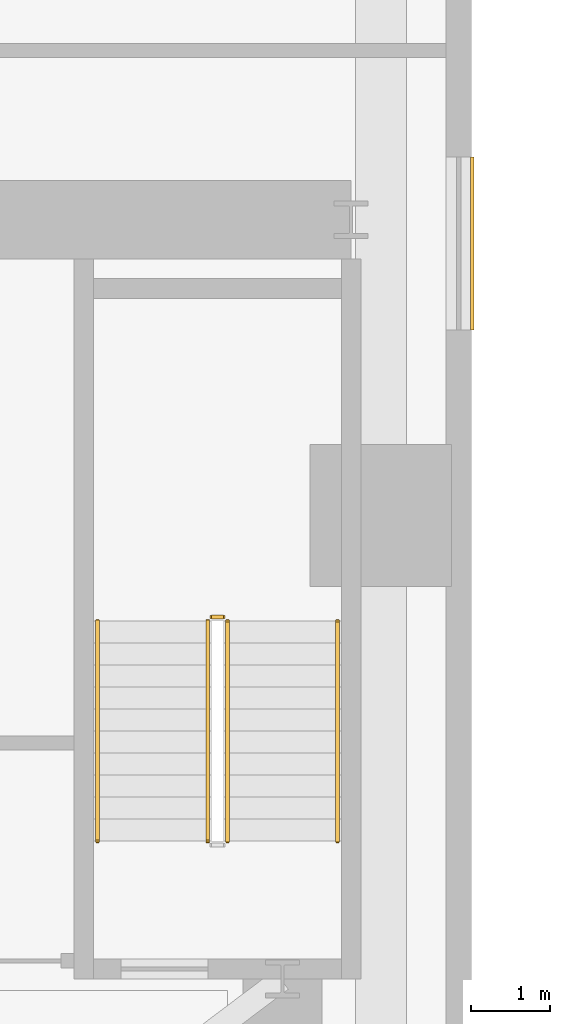
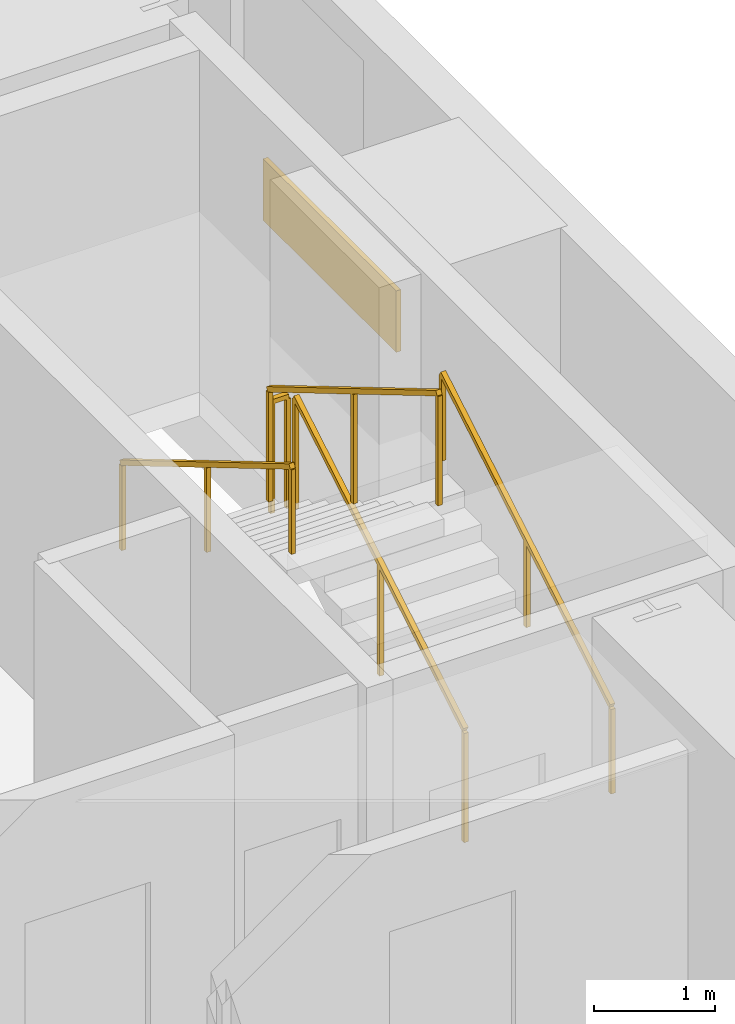
# One storey, part 13 of 13: 5 railings, 1 covering.
"""IFC4 building model written with IfcOpenShell, lengths in metres."""

import ifcopenshell
import ifcopenshell.guid

model = None  # the IFC model being written
_history = None  # IfcOwnerHistory: only IFC2X3 demands one
_inside = {}  # id of a spatial element -> (the spatial element, [elements in it])
_under = {}  # id of a project, library or spatial element -> (it, [spatial elements below it])
_declared = {}  # id of a project -> (the project, [libraries it declares])
_typed = {}  # id of a type object -> (the type object, [elements of that type])
_made_of = {}  # id of a material, layer set ... -> (it, [elements and type objects made of it])


def new_model(schema):
    """Start an empty IFC model of exactly this schema.

    Asked for "IFC4X3", IfcOpenShell would pick the latest addendum, in which some entities
    have other attributes; the version numbers below select the first issue.
    IFC2X3 requires an IfcOwnerHistory on every rooted entity: one is made here for all.
    """
    global model, _history
    if schema == "IFC4X3":
        model = ifcopenshell.file(schema_version=(4, 3, 0, 0))
    else:
        model = ifcopenshell.file(schema=schema)
    _inside.clear()
    _under.clear()
    _declared.clear()
    _typed.clear()
    _made_of.clear()
    _history = None
    if model.schema == "IFC2X3":
        org = make("IfcOrganization", Name="unknown")
        user = make(
            "IfcPersonAndOrganization",
            ThePerson=make("IfcPerson", FamilyName="unknown"),
            TheOrganization=org,
        )
        app = make(
            "IfcApplication",
            ApplicationDeveloper=org,
            Version="unknown",
            ApplicationFullName="unknown",
            ApplicationIdentifier="unknown",
        )
        _history = make(
            "IfcOwnerHistory",
            OwningUser=user,
            OwningApplication=app,
            ChangeAction="ADDED",
            CreationDate=0,
        )
    return model


def make(cls, **values):
    """One entity of the class cls with the attributes given. An attribute that is None is left unset."""
    return model.create_entity(
        cls, **{name: value for name, value in values.items() if value is not None}
    )


def rooted(cls, **values):
    """An entity with a GlobalId (a new one), such as an element, a storey or a relation."""
    return make(cls, GlobalId=ifcopenshell.guid.new(), OwnerHistory=_history, **values)


def si_unit(unit_type, name, prefix=None):
    """IfcSIUnit, for example si_unit("LENGTHUNIT", "METRE", prefix="MILLI")."""
    return make("IfcSIUnit", UnitType=unit_type, Prefix=prefix, Name=name)


def assignment(units):
    """IfcUnitAssignment: the units of a project."""
    return None if units is None else make("IfcUnitAssignment", Units=units)


def point(xyz):
    """IfcCartesianPoint."""
    return None if xyz is None else make("IfcCartesianPoint", Coordinates=xyz)


def direction(xyz):
    """IfcDirection."""
    return None if xyz is None else make("IfcDirection", DirectionRatios=xyz)


def frame(location, z_axis=None, x_axis=None):
    """IfcAxis2Placement3D, a coordinate frame: its origin and axes. An axis left out is left unset."""
    return make(
        "IfcAxis2Placement3D",
        Location=point(location),
        Axis=direction(z_axis),
        RefDirection=direction(x_axis),
    )


def frame_2d(location, x_axis=None):
    """IfcAxis2Placement2D, a coordinate frame in the plane: its origin and x axis."""
    return make(
        "IfcAxis2Placement2D", Location=point(location), RefDirection=direction(x_axis)
    )


def origin():
    """The frame at (0, 0, 0) with its axes left unset."""
    return frame((0.0, 0.0, 0.0))


def origin_2d():
    """The frame at (0, 0) in the plane with its x axis left unset."""
    return frame_2d((0.0, 0.0))


def place(relative_to, where):
    """IfcLocalPlacement: puts the frame where relative to a parent placement (None: the world)."""
    return make(
        "IfcLocalPlacement", PlacementRelTo=relative_to, RelativePlacement=where
    )


def context(
    kind, dimensions, precision=None, world=None, true_north=None, identifier=None
):
    """IfcGeometricRepresentationContext, for example the 3D "Model" context."""
    return make(
        "IfcGeometricRepresentationContext",
        ContextIdentifier=identifier,
        ContextType=kind,
        CoordinateSpaceDimension=dimensions,
        Precision=precision,
        WorldCoordinateSystem=world,
        TrueNorth=true_north,
    )


def subcontext(parent, identifier, kind, view, scale=None):
    """IfcGeometricRepresentationSubContext, for example "Body" below "Model"."""
    return make(
        "IfcGeometricRepresentationSubContext",
        ContextIdentifier=identifier,
        ContextType=kind,
        ParentContext=parent,
        TargetScale=scale,
        TargetView=view,
    )


def project(units=None, contexts=None):
    """IfcProject with its units and contexts."""
    return rooted(
        "IfcProject",
        Name="project",
        RepresentationContexts=contexts,
        UnitsInContext=assignment(units),
    )


def spatial(cls, under=None, at=None, **own):
    """A site, building, storey or space (cls), placed at a placement, below another one or the project."""
    s = rooted(cls, ObjectPlacement=at, **own)
    if under is not None:
        _under.setdefault(under.id(), (under, []))[1].append(s)
    return s


def profile(cls, at=None, kind="AREA", **sizes):
    """A parametric profile (cls). Its sizes go by their IFC names, for example OverallWidth=200.0."""
    return make(cls, ProfileType=kind, Position=at, **sizes)


def rectangle(**sizes):
    """IfcRectangleProfileDef."""
    return profile("IfcRectangleProfileDef", **sizes)


def extrude(swept, where, along, depth):
    """IfcExtrudedAreaSolid: the profile swept, set in the frame where, extruded along a direction by depth."""
    return make(
        "IfcExtrudedAreaSolid",
        SweptArea=swept,
        Position=where,
        ExtrudedDirection=direction(along),
        Depth=depth,
    )


def shape(context_of_items, identifier, shape_type, items):
    """IfcShapeRepresentation: the items that make up one representation, for example the "Body"."""
    return make(
        "IfcShapeRepresentation",
        ContextOfItems=context_of_items,
        RepresentationIdentifier=identifier,
        RepresentationType=shape_type,
        Items=items,
    )


def source(mapping_origin, context_of_items, identifier, shape_type, items):
    """IfcRepresentationMap: a shape defined once, which mapped items show again and again."""
    return make(
        "IfcRepresentationMap",
        MappingOrigin=mapping_origin,
        MappedRepresentation=shape(context_of_items, identifier, shape_type, items),
    )


def transform(
    local_origin,
    x_axis=None,
    y_axis=None,
    z_axis=None,
    scale=None,
    scale2=None,
    scale3=None,
    uniform=True,
):
    """IfcCartesianTransformationOperator3D, or its non-uniform kind. x_axis, y_axis, z_axis: its Axis1, 2, 3."""
    if uniform:
        return make(
            "IfcCartesianTransformationOperator3D",
            Axis1=direction(x_axis),
            Axis2=direction(y_axis),
            LocalOrigin=point(local_origin),
            Scale=scale,
            Axis3=direction(z_axis),
        )
    return make(
        "IfcCartesianTransformationOperator3DnonUniform",
        Axis1=direction(x_axis),
        Axis2=direction(y_axis),
        LocalOrigin=point(local_origin),
        Scale=scale,
        Axis3=direction(z_axis),
        Scale2=scale2,
        Scale3=scale3,
    )


def mapped(mapping_source, mapping_target):
    """IfcMappedItem: shows the shape of a source again, moved by a transform."""
    return make(
        "IfcMappedItem", MappingSource=mapping_source, MappingTarget=mapping_target
    )


def material(Name=None, Category=None):
    """IfcMaterial."""
    return make("IfcMaterial", Name=Name, Category=Category)


def layer(
    of_material, thickness, ventilated=None, Name=None, Category=None, Priority=None
):
    """IfcMaterialLayer: one layer of a wall or slab, of a material (None: an air gap)."""
    return make(
        "IfcMaterialLayer",
        Material=of_material,
        LayerThickness=thickness,
        IsVentilated=ventilated,
        Name=Name,
        Category=Category,
        Priority=Priority,
    )


def layer_set(layers, Name=None):
    """IfcMaterialLayerSet."""
    return make("IfcMaterialLayerSet", MaterialLayers=layers, LayerSetName=Name)


def made_of(thing, what):
    """Note that an element or type object is made of a material, layer set ...; save() writes the relation."""
    if what is not None:
        _made_of.setdefault(what.id(), (what, []))[1].append(thing)
    return thing


def type_object(cls, material=None, **own):
    """A type object (cls), such as IfcWallType, which elements share."""
    return made_of(rooted(cls, **own), material)


def element(
    cls,
    number,
    at=None,
    inside=None,
    cuts=None,
    type_object=None,
    material=None,
    context=None,
    identifier="Body",
    shape_type=None,
    held_by="IfcProductDefinitionShape",
    body=None,
    shapes=None,
    **own,
):
    """One element of the class cls, such as IfcWall. Its Tag is "e" and its number.

    at: its placement. inside: the storey or other place that contains it. cuts: it is an
    opening in that element (IfcRelVoidsElement). A single representation is given by context,
    identifier, shape_type and body (its items); several are given by shapes. held_by: the class
    of the entity that holds the representations. save() writes the other relations.
    """
    e = rooted(cls, Tag="e%d" % number, ObjectPlacement=at, **own)
    if body is not None:
        shapes = [shape(context, identifier, shape_type, body)]
    if shapes is not None:
        e.Representation = make(held_by, Representations=shapes)
    if inside is not None:
        _inside.setdefault(inside.id(), (inside, []))[1].append(e)
    if cuts is not None:
        rooted(
            "IfcRelVoidsElement", RelatingBuildingElement=cuts, RelatedOpeningElement=e
        )
    if type_object is not None:
        _typed.setdefault(type_object.id(), (type_object, []))[1].append(e)
    return made_of(e, material)


def aggregate(whole, parts):
    """IfcRelAggregates: a whole, such as a stair, and the parts it consists of."""
    return rooted("IfcRelAggregates", RelatingObject=whole, RelatedObjects=parts)


def save(model, path):
    """Write the relations noted so far, then the file.

    IfcRelAggregates (storeys below a building ...), IfcRelContainedInSpatialStructure (elements
    in a storey), IfcRelDefinesByType, IfcRelAssociatesMaterial and IfcRelDeclares: one each for
    every whole, place, type object, material and project.
    """
    for whole, parts in _under.values():
        aggregate(whole, parts)
    for where, things in _inside.values():
        rooted(
            "IfcRelContainedInSpatialStructure",
            RelatedElements=things,
            RelatingStructure=where,
        )
    for kind, things in _typed.values():
        rooted("IfcRelDefinesByType", RelatedObjects=things, RelatingType=kind)
    for what, things in _made_of.values():
        rooted("IfcRelAssociatesMaterial", RelatedObjects=things, RelatingMaterial=what)
    for by, libraries in _declared.values():
        rooted("IfcRelDeclares", RelatingContext=by, RelatedDefinitions=libraries)
    model.write(path)


model = new_model("IFC4")

# Units and contexts
model_context = context("Model", 3, precision=1e-05, world=origin(), true_north=direction((0.0, 1.0)))
body_context = subcontext(model_context, "Body", "Model", "MODEL_VIEW")
ifc_project = project(units=[si_unit("LENGTHUNIT", "METRE"), si_unit("AREAUNIT", "SQUARE_METRE"), si_unit("VOLUMEUNIT", "CUBIC_METRE"), si_unit("PLANEANGLEUNIT", "RADIAN"), si_unit("MASSUNIT", "GRAM", prefix="KILO")], contexts=[model_context])

# Site, building, storey
site_placement = place(None, origin())
site = spatial("IfcSite", under=ifc_project, at=site_placement, CompositionType="ELEMENT")
building_placement = place(site_placement, origin())
building = spatial("IfcBuilding", under=site, at=building_placement, Name="Vardaveli Station Tower", CompositionType="ELEMENT")
storey_placement = place(building_placement, frame((0.0, 0.0, 82.35009765625)))
storey = spatial("IfcBuildingStorey", under=building, at=storey_placement, Name="L21", CompositionType="ELEMENT", Elevation=82.35009765625)

# Covering
ifc_material_1 = material(Name="Ventilated honed travertine stone cladding", Category="masonry")
ifc_layer = layer(ifc_material_1, 0.044921875, Name="Ventilated honed travertine stone cladding")
ifc_layer_set = layer_set([ifc_layer], Name="Ventilated honed travertine stone cladding")
covering_type = type_object("IfcCoveringType", Name="COV-CLAD-TR45", PredefinedType="CLADDING", material=ifc_layer_set)
shared_shape_1 = source(origin(), body_context, "Body", "SweptSolid", [
    extrude(rectangle(XDim=2.199951171875, YDim=0.044921875, at=origin_2d()), origin(), (0.0, 0.0, 1.0), 0.6201171875),
])
covering_placement = place(storey_placement, frame((48.91455078125, 39.9951171875, 0.06982421875), z_axis=(0.0, 0.0, 1.0), x_axis=(0.0, 1.0, 0.0)))
element("IfcCovering", 1, at=covering_placement, inside=storey, type_object=covering_type, Name="CLD-TR-L21-E", PredefinedType="CLADDING", context=body_context, shape_type="MappedRepresentation", body=[
    mapped(shared_shape_1, transform((0.0, 0.0, 0.0), scale=1.0)),
])

# Railings
ifc_material_2 = material(Name="Brushed AISI 316 stainless steel", Category="steel")
railing_type_1 = type_object("IfcRailingType", Name="RL-GUARD-1150", PredefinedType="GUARDRAIL", material=ifc_material_2)
shared_shape_2 = source(origin(), body_context, "Body", "SweptSolid", [
    extrude(rectangle(XDim=0.048095703125, YDim=0.048095703125, at=origin_2d()), frame((0.0, 0.0, 1.1259765625), z_axis=(-1.0, 0.0, 0.0), x_axis=(0.0, -1.0, 0.0)), (0.0, 0.0, 1.0), 0.14990234375),
    extrude(rectangle(XDim=0.0419921875, YDim=0.0419921875, at=origin_2d()), origin(), (0.0, 0.0, 1.0), 1.101806640625),
    extrude(rectangle(XDim=0.0419921875, YDim=0.0419921875, at=origin_2d()), frame((-0.14990234375, 0.0, 0.0)), (0.0, 0.0, 1.0), 1.101806640625),
])
railing_1_placement = place(storey_placement, frame((45.75, 35.25, 1.824951171875)))
element("IfcRailing", 2, at=railing_1_placement, inside=storey, type_object=railing_type_1, Name="L21 ST-3 stair guard 2", PredefinedType="GUARDRAIL", context=body_context, shape_type="MappedRepresentation", body=[
    mapped(shared_shape_2, transform((0.0, 0.0, 0.0), scale=1.0)),
])
shared_shape_3 = source(origin(), body_context, "Body", "SweptSolid", [
    extrude(rectangle(XDim=0.048095703125, YDim=0.048095703125, at=origin_2d()), frame((0.0, 0.0, 1.1259765625), z_axis=(0.0, 0.860306154799, 0.50977771628), x_axis=(-1.0, 0.0, 0.0)), (0.0, 0.0, 1.0), 3.254638671875),
    extrude(rectangle(XDim=0.0419921875, YDim=0.0419921875, at=origin_2d()), origin(), (0.0, 0.0, 1.0), 1.101806640625),
    extrude(rectangle(XDim=0.0419921875, YDim=0.0419921875, at=origin_2d()), frame((0.0, 1.39990234375, 0.82958984375)), (0.0, 0.0, 1.0), 1.101806640625),
    extrude(rectangle(XDim=0.0419921875, YDim=0.0419921875, at=origin_2d()), frame((0.0, 2.800048828125, 1.6591796875)), (0.0, 0.0, 1.0), 1.101806640625),
])
railing_2_placement = place(storey_placement, frame((45.800048828125, 32.39990234375, 0.165771484375)))
element("IfcRailing", 3, at=railing_2_placement, inside=storey, type_object=railing_type_1, Name="L21 ST-3 stair guard 1", PredefinedType="GUARDRAIL", context=body_context, shape_type="MappedRepresentation", body=[
    mapped(shared_shape_3, transform((0.0, 0.0, 0.0), scale=1.0)),
])
shared_shape_4 = source(origin(), body_context, "Body", "SweptSolid", [
    extrude(rectangle(XDim=0.048095703125, YDim=0.048095703125, at=origin_2d()), frame((0.0, 0.0, 1.1259765625), z_axis=(0.0, -0.860306154799, 0.50977771628), x_axis=(1.0, 0.0, 0.0)), (0.0, 0.0, 1.0), 3.254638671875),
    extrude(rectangle(XDim=0.0419921875, YDim=0.0419921875, at=origin_2d()), origin(), (0.0, 0.0, 1.0), 1.101806640625),
    extrude(rectangle(XDim=0.0419921875, YDim=0.0419921875, at=origin_2d()), frame((0.0, -1.39990234375, 0.82958984375)), (0.0, 0.0, 1.0), 1.101806640625),
    extrude(rectangle(XDim=0.0419921875, YDim=0.0419921875, at=origin_2d()), frame((0.0, -2.800048828125, 1.6591796875)), (0.0, 0.0, 1.0), 1.101806640625),
])
railing_3_placement = place(storey_placement, frame((45.550048828125, 35.199951171875, 1.99072265625)))
element("IfcRailing", 4, at=railing_3_placement, inside=storey, type_object=railing_type_1, Name="L21 ST-3 stair guard 3", PredefinedType="GUARDRAIL", context=body_context, shape_type="MappedRepresentation", body=[
    mapped(shared_shape_4, transform((0.0, 0.0, 0.0), scale=1.0)),
])
railing_type_2 = type_object("IfcRailingType", Name="RL-HAND-900", PredefinedType="HANDRAIL", material=ifc_material_2)
shared_shape_5 = source(origin(), body_context, "Body", "SweptSolid", [
    extrude(rectangle(XDim=0.048095703125, YDim=0.048095703125, at=origin_2d()), frame((0.0, 0.0, 0.8759765625), z_axis=(0.0, 0.860306154799, 0.50977771628), x_axis=(-1.0, 0.0, 0.0)), (0.0, 0.0, 1.0), 3.254638671875),
    extrude(rectangle(XDim=0.0419921875, YDim=0.0419921875, at=origin_2d()), origin(), (0.0, 0.0, 1.0), 0.851806640625),
    extrude(rectangle(XDim=0.0419921875, YDim=0.0419921875, at=origin_2d()), frame((0.0, 1.39990234375, 0.82958984375)), (0.0, 0.0, 1.0), 0.851806640625),
    extrude(rectangle(XDim=0.0419921875, YDim=0.0419921875, at=origin_2d()), frame((0.0, 2.800048828125, 1.6591796875)), (0.0, 0.0, 1.0), 0.851806640625),
])
railing_4_placement = place(storey_placement, frame((47.199951171875, 32.39990234375, 0.165771484375)))
element("IfcRailing", 5, at=railing_4_placement, inside=storey, type_object=railing_type_2, Name="L21 ST-3 stair handrail 1", PredefinedType="HANDRAIL", context=body_context, shape_type="MappedRepresentation", body=[
    mapped(shared_shape_5, transform((0.0, 0.0, 0.0), scale=1.0)),
])
shared_shape_6 = source(origin(), body_context, "Body", "SweptSolid", [
    extrude(rectangle(XDim=0.048095703125, YDim=0.048095703125, at=origin_2d()), frame((0.0, 0.0, 0.8759765625), z_axis=(0.0, -0.860306154799, 0.50977771628), x_axis=(1.0, 0.0, 0.0)), (0.0, 0.0, 1.0), 3.254638671875),
    extrude(rectangle(XDim=0.0419921875, YDim=0.0419921875, at=origin_2d()), origin(), (0.0, 0.0, 1.0), 0.851806640625),
    extrude(rectangle(XDim=0.0419921875, YDim=0.0419921875, at=origin_2d()), frame((0.0, -1.39990234375, 0.82958984375)), (0.0, 0.0, 1.0), 0.851806640625),
    extrude(rectangle(XDim=0.0419921875, YDim=0.0419921875, at=origin_2d()), frame((0.0, -2.800048828125, 1.6591796875)), (0.0, 0.0, 1.0), 0.851806640625),
])
railing_5_placement = place(storey_placement, frame((44.14990234375, 35.199951171875, 1.99072265625)))
element("IfcRailing", 6, at=railing_5_placement, inside=storey, type_object=railing_type_2, Name="L21 ST-3 stair handrail 2", PredefinedType="HANDRAIL", context=body_context, shape_type="MappedRepresentation", body=[
    mapped(shared_shape_6, transform((0.0, 0.0, 0.0), scale=1.0)),
])

save(model, "model.ifc")
